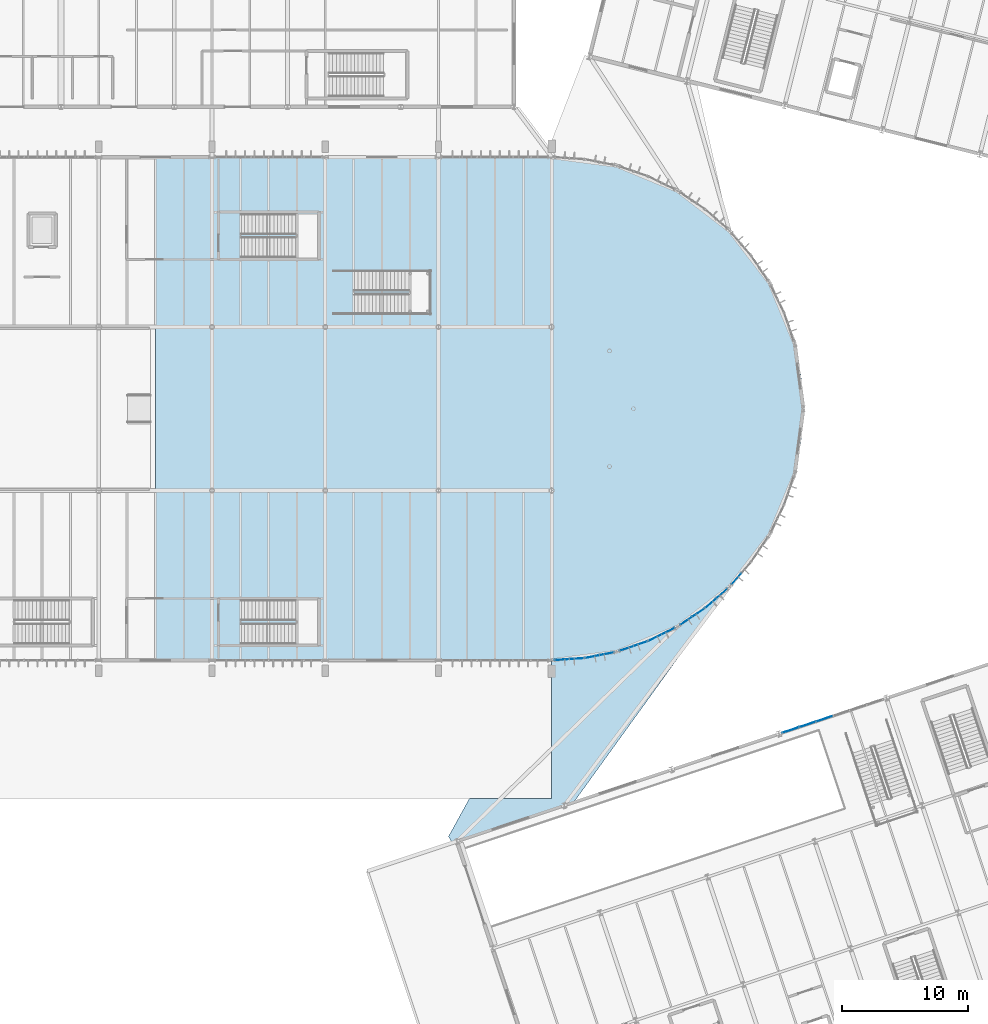
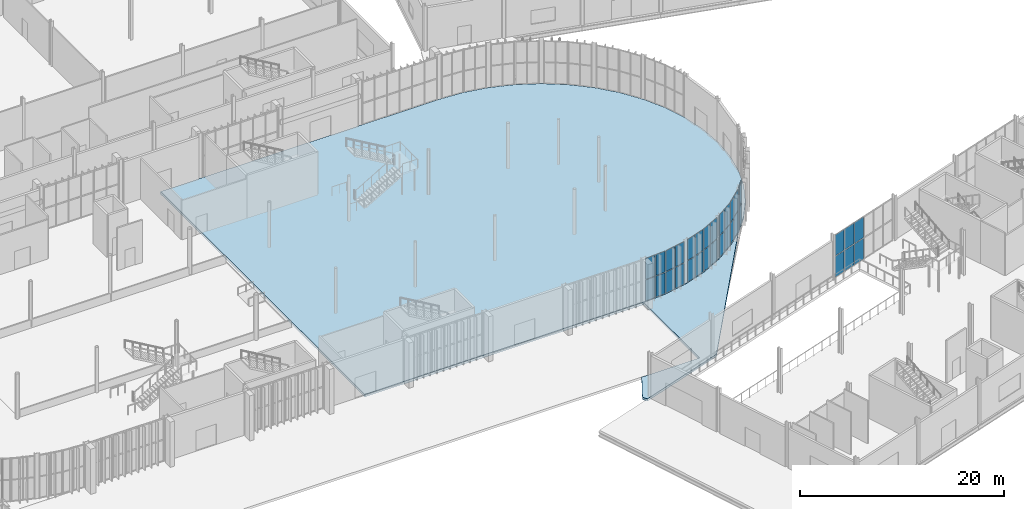
# One storey, part 108 of 158: 32 plates, 2 slabs, 8 elements without a shape of their own.
"""IFC4 building model written with IfcOpenShell, lengths in metres."""

from ifc_helpers import new_model, si_unit, derived_unit, direction, frame, origin, origin_2d, place, context, subcontext, project, spatial, polyline, rectangle, outline, extrude, material, layer, layer_set, type_object, element, aggregate, save


model = new_model("IFC4")

# Units and contexts
model_context = context("Model", 3, precision=1e-05, world=origin(), true_north=direction((0.0, 1.0)))
body_context = subcontext(model_context, "Body", "Model", "MODEL_VIEW")
ifc_project = project(units=[si_unit("LENGTHUNIT", "METRE"), si_unit("AREAUNIT", "SQUARE_METRE"), si_unit("VOLUMEUNIT", "CUBIC_METRE"), si_unit("PLANEANGLEUNIT", "RADIAN"), si_unit("MASSUNIT", "GRAM", prefix="KILO"), si_unit("THERMODYNAMICTEMPERATUREUNIT", "KELVIN"), si_unit("TIMEUNIT", "SECOND"), derived_unit("THERMALTRANSMITTANCEUNIT", [(si_unit("MASSUNIT", "GRAM", prefix="KILO"), 1), (si_unit("THERMODYNAMICTEMPERATUREUNIT", "KELVIN"), -1), (si_unit("TIMEUNIT", "SECOND"), -3)])], contexts=[model_context])

# Site, building, storey
site_placement = place(None, origin())
site = spatial("IfcSite", under=ifc_project, at=site_placement, CompositionType="ELEMENT")
building_placement = place(site_placement, origin())
building = spatial("IfcBuilding", under=site, at=building_placement, Name="Cambertide Market Hall", CompositionType="ELEMENT")
storey_placement = place(building_placement, origin())
storey = spatial("IfcBuildingStorey", under=building, at=storey_placement, Name="L01", CompositionType="ELEMENT", Elevation=0.0)

# Slabs
ifc_material_1 = material(Name="Concrete B35", Category="concrete")
ifc_layer_1 = layer(ifc_material_1, 0.280029296875, Name="Exterior Entry Apron & Colonnade Slab 280")
ifc_layer_set_1 = layer_set([ifc_layer_1], Name="Concrete B35")
slab_type_1 = type_object("IfcSlabType", Name="Exterior Entry Apron & Colonnade Slab 280", PredefinedType="FLOOR", material=ifc_layer_set_1)
slab_1_placement = place(storey_placement, frame((0.0, 0.0, -0.280029296875)))
element("IfcSlab", 1, at=slab_1_placement, inside=storey, type_object=slab_type_1, Name="Level 1 Slab SLB-L01-LNK-V1V3", PredefinedType="FLOOR", context=body_context, shape_type="SweptSolid", body=[
    extrude(outline(polyline([(97.45068359375, 37.615966796875), (97.44921875, 37.620849609375), (106.762451171875, 40.72509765625), (118.997802734375, 57.658203125), (117.208740234375, 56.089111328125), (115.027587890625, 54.6318359375), (112.6748046875, 53.471435546875), (110.190673828125, 52.628173828125), (107.61767578125, 52.116455078125), (105.0048828125, 51.9453125), (105.0048828125, 41.0), (98.45068359375, 41.0), (96.800048828125, 38.0), (97.080810546875, 37.49267578125), (97.45068359375, 37.615966796875)])), origin(), (0.0, 0.0, 1.0), 0.280029296875),
])
ifc_material_2 = material(Name="Concrete B35", Category="concrete")
ifc_layer_2 = layer(ifc_material_2, 0.31005859375, Name="Fresh Produce Plinth Slab 310")
ifc_layer_set_2 = layer_set([ifc_layer_2], Name="Concrete B35")
slab_type_2 = type_object("IfcSlabType", Name="Fresh Produce Plinth Slab 310", PredefinedType="FLOOR", material=ifc_layer_set_2)
slab_2_placement = place(storey_placement, frame((0.0, 0.0, -0.31005859375)))
element("IfcSlab", 2, at=slab_2_placement, inside=storey, type_object=slab_type_2, Name="Level 1 Slab SLB-L01-V1E", PredefinedType="FLOOR", context=body_context, shape_type="SweptSolid", body=[
    extrude(outline(polyline([(73.5, 92.0), (73.5, 52.0), (105.0, 52.0), (107.610595703125, 52.171142578125), (110.17626953125, 52.681396484375), (112.653564453125, 53.5224609375), (115.0, 54.679443359375), (117.17529296875, 56.1328125), (119.14208984375, 57.85791015625), (120.8671875, 59.82470703125), (122.320556640625, 62.0), (123.4775390625, 64.346435546875), (124.318603515625, 66.82373046875), (124.828857421875, 69.389404296875), (125.0, 72.0), (124.828857421875, 74.610595703125), (124.318603515625, 77.17626953125), (123.4775390625, 79.653564453125), (122.320556640625, 82.0), (120.8671875, 84.17529296875), (119.14208984375, 86.14208984375), (117.17529296875, 87.8671875), (115.0, 89.320556640625), (112.653564453125, 90.4775390625), (110.17626953125, 91.318603515625), (107.610595703125, 91.828857421875), (105.0, 92.0), (73.5, 92.0)])), origin(), (0.0, 0.0, 1.0), 0.31005859375),
])

# Curtain wall, plates
ifc_material_3 = material(Name="Marine Anodized Aluminium 6063-T6 AA25", Category="aluminium")
curtain_wall_type_1 = type_object("IfcCurtainWallType", Name="Lantern Apse Chord Lower Curtain Wall", PredefinedType="USERDEFINED", material=ifc_material_3)
curtain_wall_1_placement = place(storey_placement, origin())
curtain_wall_1 = element("IfcCurtainWall", 3, at=curtain_wall_1_placement, inside=storey, type_object=curtain_wall_type_1, Name="Level 1 Curtain Wall CW-V1AE-L01-01", ObjectType="UNITIZED CURTAIN WALL", PredefinedType="USERDEFINED")
ifc_material_4 = material(Name="Low-E Laminated Insulated Glass", Category="glass")
ifc_layer_3 = layer(ifc_material_4, 0.028076171875, Name="Vision Insulated Glazing Panel 28")
ifc_layer_set_3 = layer_set([ifc_layer_3], Name="Low-E Laminated Insulated Glass")
plate_type = type_object("IfcPlateType", Name="Vision Insulated Glazing Panel 28", PredefinedType="CURTAIN_PANEL", material=ifc_layer_set_3)
plate_1_placement = place(storey_placement, frame((106.997802734375, 52.130859375, 0.0400390625), z_axis=(0.0, 0.0, 1.0), x_axis=(-0.997858917819, -0.065403211921, 0.0)))
plate_1 = element("IfcPlate", 4, at=plate_1_placement, type_object=plate_type, Name="CW-V1AE-L01-01 Glazing Panel 1-1", PredefinedType="CURTAIN_PANEL", context=body_context, shape_type="SweptSolid", body=[
    extrude(rectangle(XDim=1.108154296875, YDim=0.028076171875, at=origin_2d()), origin(), (0.0, 0.0, 1.0), 2.5),
])
plate_2_placement = place(storey_placement, frame((105.812255859375, 52.05322265625, 0.0400390625), z_axis=(0.0, 0.0, 1.0), x_axis=(-0.997858917819, -0.065403211921, 0.0)))
plate_2 = element("IfcPlate", 5, at=plate_2_placement, type_object=plate_type, Name="CW-V1AE-L01-01 Glazing Panel 1-2", PredefinedType="CURTAIN_PANEL", context=body_context, shape_type="SweptSolid", body=[
    extrude(rectangle(XDim=1.108154296875, YDim=0.028076171875, at=origin_2d()), origin(), (0.0, 0.0, 1.0), 2.5),
])
plate_3_placement = place(storey_placement, frame((106.997802734375, 52.130859375, 2.6201171875), z_axis=(0.0, 0.0, 1.0), x_axis=(-0.997858917819, -0.065403211921, 0.0)))
plate_3 = element("IfcPlate", 6, at=plate_3_placement, type_object=plate_type, Name="CW-V1AE-L01-01 Glazing Panel 2-1", PredefinedType="CURTAIN_PANEL", context=body_context, shape_type="SweptSolid", body=[
    extrude(rectangle(XDim=1.108154296875, YDim=0.028076171875, at=origin_2d()), origin(), (0.0, 0.0, 1.0), 2.5),
])
plate_4_placement = place(storey_placement, frame((105.812255859375, 52.05322265625, 2.6201171875), z_axis=(0.0, 0.0, 1.0), x_axis=(-0.997858917819, -0.065403211921, 0.0)))
plate_4 = element("IfcPlate", 7, at=plate_4_placement, type_object=plate_type, Name="CW-V1AE-L01-01 Glazing Panel 2-2", PredefinedType="CURTAIN_PANEL", context=body_context, shape_type="SweptSolid", body=[
    extrude(rectangle(XDim=1.108154296875, YDim=0.028076171875, at=origin_2d()), origin(), (0.0, 0.0, 1.0), 2.5),
])
aggregate(curtain_wall_1, [plate_1, plate_2, plate_3, plate_4])

curtain_wall_2_placement = place(storey_placement, origin())
curtain_wall_2 = element("IfcCurtainWall", 8, at=curtain_wall_2_placement, inside=storey, type_object=curtain_wall_type_1, Name="Level 1 Curtain Wall CW-V1AE-L01-02", ObjectType="UNITIZED CURTAIN WALL", PredefinedType="USERDEFINED")
plate_5_placement = place(storey_placement, frame((109.3779296875, 52.522705078125, 0.0400390625), z_axis=(0.0, 0.0, 1.0), x_axis=(-0.980785330885, -0.195090068226, 0.0)))
plate_5 = element("IfcPlate", 9, at=plate_5_placement, type_object=plate_type, Name="CW-V1AE-L01-02 Glazing Panel 1-1", PredefinedType="CURTAIN_PANEL", context=body_context, shape_type="SweptSolid", body=[
    extrude(rectangle(XDim=1.108154296875, YDim=0.028076171875, at=origin_2d()), origin(), (0.0, 0.0, 1.0), 2.5),
])
plate_6_placement = place(storey_placement, frame((108.212646484375, 52.291015625, 0.0400390625), z_axis=(0.0, 0.0, 1.0), x_axis=(-0.980785330885, -0.195090068226, 0.0)))
plate_6 = element("IfcPlate", 10, at=plate_6_placement, type_object=plate_type, Name="CW-V1AE-L01-02 Glazing Panel 1-2", PredefinedType="CURTAIN_PANEL", context=body_context, shape_type="SweptSolid", body=[
    extrude(rectangle(XDim=1.108154296875, YDim=0.028076171875, at=origin_2d()), origin(), (0.0, 0.0, 1.0), 2.5),
])
plate_7_placement = place(storey_placement, frame((109.3779296875, 52.522705078125, 2.6201171875), z_axis=(0.0, 0.0, 1.0), x_axis=(-0.980785330885, -0.195090068226, 0.0)))
plate_7 = element("IfcPlate", 11, at=plate_7_placement, type_object=plate_type, Name="CW-V1AE-L01-02 Glazing Panel 2-1", PredefinedType="CURTAIN_PANEL", context=body_context, shape_type="SweptSolid", body=[
    extrude(rectangle(XDim=1.108154296875, YDim=0.028076171875, at=origin_2d()), origin(), (0.0, 0.0, 1.0), 2.5),
])
plate_8_placement = place(storey_placement, frame((108.212646484375, 52.291015625, 2.6201171875), z_axis=(0.0, 0.0, 1.0), x_axis=(-0.980785330885, -0.195090068226, 0.0)))
plate_8 = element("IfcPlate", 12, at=plate_8_placement, type_object=plate_type, Name="CW-V1AE-L01-02 Glazing Panel 2-2", PredefinedType="CURTAIN_PANEL", context=body_context, shape_type="SweptSolid", body=[
    extrude(rectangle(XDim=1.108154296875, YDim=0.028076171875, at=origin_2d()), origin(), (0.0, 0.0, 1.0), 2.5),
])
aggregate(curtain_wall_2, [plate_5, plate_6, plate_7, plate_8])

curtain_wall_3_placement = place(storey_placement, origin())
curtain_wall_3 = element("IfcCurtainWall", 13, at=curtain_wall_3_placement, inside=storey, type_object=curtain_wall_type_1, Name="Level 1 Curtain Wall CW-V1AE-L01-03", ObjectType="UNITIZED CURTAIN WALL", PredefinedType="USERDEFINED")
plate_9_placement = place(storey_placement, frame((112.072265625, 53.324951171875, 0.0400390625), z_axis=(0.0, 0.0, 1.0), x_axis=(-0.94693012508, -0.32143947831, 0.0)))
plate_9 = element("IfcPlate", 14, at=plate_9_placement, type_object=plate_type, Name="CW-V1AE-L01-03 Glazing Panel 1-1", PredefinedType="CURTAIN_PANEL", context=body_context, shape_type="SweptSolid", body=[
    extrude(rectangle(XDim=1.108154296875, YDim=0.028076171875, at=origin_2d()), origin(), (0.0, 0.0, 1.0), 2.5),
])
plate_10_placement = place(storey_placement, frame((110.947265625, 52.943115234375, 0.0400390625), z_axis=(0.0, 0.0, 1.0), x_axis=(-0.94693012508, -0.32143947831, 0.0)))
plate_10 = element("IfcPlate", 15, at=plate_10_placement, type_object=plate_type, Name="CW-V1AE-L01-03 Glazing Panel 1-2", PredefinedType="CURTAIN_PANEL", context=body_context, shape_type="SweptSolid", body=[
    extrude(rectangle(XDim=1.108154296875, YDim=0.028076171875, at=origin_2d()), origin(), (0.0, 0.0, 1.0), 2.5),
])
plate_11_placement = place(storey_placement, frame((112.072265625, 53.324951171875, 2.6201171875), z_axis=(0.0, 0.0, 1.0), x_axis=(-0.94693012508, -0.32143947831, 0.0)))
plate_11 = element("IfcPlate", 16, at=plate_11_placement, type_object=plate_type, Name="CW-V1AE-L01-03 Glazing Panel 2-1", PredefinedType="CURTAIN_PANEL", context=body_context, shape_type="SweptSolid", body=[
    extrude(rectangle(XDim=1.108154296875, YDim=0.028076171875, at=origin_2d()), origin(), (0.0, 0.0, 1.0), 2.5),
])
plate_12_placement = place(storey_placement, frame((110.947265625, 52.943115234375, 2.6201171875), z_axis=(0.0, 0.0, 1.0), x_axis=(-0.94693012508, -0.32143947831, 0.0)))
plate_12 = element("IfcPlate", 17, at=plate_12_placement, type_object=plate_type, Name="CW-V1AE-L01-03 Glazing Panel 2-2", PredefinedType="CURTAIN_PANEL", context=body_context, shape_type="SweptSolid", body=[
    extrude(rectangle(XDim=1.108154296875, YDim=0.028076171875, at=origin_2d()), origin(), (0.0, 0.0, 1.0), 2.5),
])
aggregate(curtain_wall_3, [plate_9, plate_10, plate_11, plate_12])

curtain_wall_4_placement = place(storey_placement, origin())
curtain_wall_4 = element("IfcCurtainWall", 18, at=curtain_wall_4_placement, inside=storey, type_object=curtain_wall_type_1, Name="Level 1 Curtain Wall CW-V1AE-L01-04", ObjectType="UNITIZED CURTAIN WALL", PredefinedType="USERDEFINED")
plate_13_placement = place(storey_placement, frame((114.27001953125, 54.3193359375, 0.0400390625), z_axis=(0.0, 0.0, 1.0), x_axis=(-0.896872650645, -0.442288874522, 0.0)))
plate_13 = element("IfcPlate", 19, at=plate_13_placement, type_object=plate_type, Name="CW-V1AE-L01-04 Glazing Panel 1-1", PredefinedType="CURTAIN_PANEL", context=body_context, shape_type="SweptSolid", body=[
    extrude(rectangle(XDim=1.108154296875, YDim=0.028076171875, at=origin_2d()), origin(), (0.0, 0.0, 1.0), 2.5),
])
plate_14_placement = place(storey_placement, frame((113.204345703125, 53.7939453125, 0.0400390625), z_axis=(0.0, 0.0, 1.0), x_axis=(-0.896872650645, -0.442288874522, 0.0)))
plate_14 = element("IfcPlate", 20, at=plate_14_placement, type_object=plate_type, Name="CW-V1AE-L01-04 Glazing Panel 1-2", PredefinedType="CURTAIN_PANEL", context=body_context, shape_type="SweptSolid", body=[
    extrude(rectangle(XDim=1.108154296875, YDim=0.028076171875, at=origin_2d()), origin(), (0.0, 0.0, 1.0), 2.5),
])
plate_15_placement = place(storey_placement, frame((114.27001953125, 54.3193359375, 2.6201171875), z_axis=(0.0, 0.0, 1.0), x_axis=(-0.896872650645, -0.442288874522, 0.0)))
plate_15 = element("IfcPlate", 21, at=plate_15_placement, type_object=plate_type, Name="CW-V1AE-L01-04 Glazing Panel 2-1", PredefinedType="CURTAIN_PANEL", context=body_context, shape_type="SweptSolid", body=[
    extrude(rectangle(XDim=1.108154296875, YDim=0.028076171875, at=origin_2d()), origin(), (0.0, 0.0, 1.0), 2.5),
])
plate_16_placement = place(storey_placement, frame((113.204345703125, 53.7939453125, 2.6201171875), z_axis=(0.0, 0.0, 1.0), x_axis=(-0.896872650645, -0.442288874522, 0.0)))
plate_16 = element("IfcPlate", 22, at=plate_16_placement, type_object=plate_type, Name="CW-V1AE-L01-04 Glazing Panel 2-2", PredefinedType="CURTAIN_PANEL", context=body_context, shape_type="SweptSolid", body=[
    extrude(rectangle(XDim=1.108154296875, YDim=0.028076171875, at=origin_2d()), origin(), (0.0, 0.0, 1.0), 2.5),
])
aggregate(curtain_wall_4, [plate_13, plate_14, plate_15, plate_16])

curtain_wall_5_placement = place(storey_placement, origin())
curtain_wall_5 = element("IfcCurtainWall", 23, at=curtain_wall_5_placement, inside=storey, type_object=curtain_wall_type_1, Name="Level 1 Curtain Wall CW-V1AE-L01-05", ObjectType="UNITIZED CURTAIN WALL", PredefinedType="USERDEFINED")
plate_17_placement = place(storey_placement, frame((116.664794921875, 55.791748046875, 0.0400390625), z_axis=(0.0, 0.0, 1.0), x_axis=(-0.831469709481, -0.555570087582, 0.0)))
plate_17 = element("IfcPlate", 24, at=plate_17_placement, type_object=plate_type, Name="CW-V1AE-L01-05 Glazing Panel 1-1", PredefinedType="CURTAIN_PANEL", context=body_context, shape_type="SweptSolid", body=[
    extrude(rectangle(XDim=1.108154296875, YDim=0.028076171875, at=origin_2d()), origin(), (0.0, 0.0, 1.0), 2.5),
])
plate_18_placement = place(storey_placement, frame((115.6767578125, 55.1318359375, 0.0400390625), z_axis=(0.0, 0.0, 1.0), x_axis=(-0.831469709481, -0.555570087582, 0.0)))
plate_18 = element("IfcPlate", 25, at=plate_18_placement, type_object=plate_type, Name="CW-V1AE-L01-05 Glazing Panel 1-2", PredefinedType="CURTAIN_PANEL", context=body_context, shape_type="SweptSolid", body=[
    extrude(rectangle(XDim=1.108154296875, YDim=0.028076171875, at=origin_2d()), origin(), (0.0, 0.0, 1.0), 2.5),
])
plate_19_placement = place(storey_placement, frame((116.664794921875, 55.791748046875, 2.6201171875), z_axis=(0.0, 0.0, 1.0), x_axis=(-0.831469709481, -0.555570087582, 0.0)))
plate_19 = element("IfcPlate", 26, at=plate_19_placement, type_object=plate_type, Name="CW-V1AE-L01-05 Glazing Panel 2-1", PredefinedType="CURTAIN_PANEL", context=body_context, shape_type="SweptSolid", body=[
    extrude(rectangle(XDim=1.108154296875, YDim=0.028076171875, at=origin_2d()), origin(), (0.0, 0.0, 1.0), 2.5),
])
plate_20_placement = place(storey_placement, frame((115.6767578125, 55.1318359375, 2.6201171875), z_axis=(0.0, 0.0, 1.0), x_axis=(-0.831469709481, -0.555570087582, 0.0)))
plate_20 = element("IfcPlate", 27, at=plate_20_placement, type_object=plate_type, Name="CW-V1AE-L01-05 Glazing Panel 2-2", PredefinedType="CURTAIN_PANEL", context=body_context, shape_type="SweptSolid", body=[
    extrude(rectangle(XDim=1.108154296875, YDim=0.028076171875, at=origin_2d()), origin(), (0.0, 0.0, 1.0), 2.5),
])
aggregate(curtain_wall_5, [plate_17, plate_18, plate_19, plate_20])

curtain_wall_6_placement = place(storey_placement, origin())
curtain_wall_6 = element("IfcCurtainWall", 28, at=curtain_wall_6_placement, inside=storey, type_object=curtain_wall_type_1, Name="Level 1 Curtain Wall CW-V1AE-L01-06", ObjectType="UNITIZED CURTAIN WALL", PredefinedType="USERDEFINED")
plate_21_placement = place(storey_placement, frame((118.530029296875, 57.321044921875, 0.0400390625), z_axis=(0.0, 0.0, 1.0), x_axis=(-0.751839834741, -0.659345784014, 0.0)))
plate_21 = element("IfcPlate", 29, at=plate_21_placement, type_object=plate_type, Name="CW-V1AE-L01-06 Glazing Panel 1-1", PredefinedType="CURTAIN_PANEL", context=body_context, shape_type="SweptSolid", body=[
    extrude(rectangle(XDim=1.108154296875, YDim=0.028076171875, at=origin_2d()), origin(), (0.0, 0.0, 1.0), 2.5),
])
plate_22_placement = place(storey_placement, frame((117.636962890625, 56.537841796875, 0.0400390625), z_axis=(0.0, 0.0, 1.0), x_axis=(-0.751839834741, -0.659345784014, 0.0)))
plate_22 = element("IfcPlate", 30, at=plate_22_placement, type_object=plate_type, Name="CW-V1AE-L01-06 Glazing Panel 1-2", PredefinedType="CURTAIN_PANEL", context=body_context, shape_type="SweptSolid", body=[
    extrude(rectangle(XDim=1.108154296875, YDim=0.028076171875, at=origin_2d()), origin(), (0.0, 0.0, 1.0), 2.5),
])
plate_23_placement = place(storey_placement, frame((118.530029296875, 57.321044921875, 2.6201171875), z_axis=(0.0, 0.0, 1.0), x_axis=(-0.751839834741, -0.659345784014, 0.0)))
plate_23 = element("IfcPlate", 31, at=plate_23_placement, type_object=plate_type, Name="CW-V1AE-L01-06 Glazing Panel 2-1", PredefinedType="CURTAIN_PANEL", context=body_context, shape_type="SweptSolid", body=[
    extrude(rectangle(XDim=1.108154296875, YDim=0.028076171875, at=origin_2d()), origin(), (0.0, 0.0, 1.0), 2.5),
])
plate_24_placement = place(storey_placement, frame((117.636962890625, 56.537841796875, 2.6201171875), z_axis=(0.0, 0.0, 1.0), x_axis=(-0.751839834741, -0.659345784014, 0.0)))
plate_24 = element("IfcPlate", 32, at=plate_24_placement, type_object=plate_type, Name="CW-V1AE-L01-06 Glazing Panel 2-2", PredefinedType="CURTAIN_PANEL", context=body_context, shape_type="SweptSolid", body=[
    extrude(rectangle(XDim=1.108154296875, YDim=0.028076171875, at=origin_2d()), origin(), (0.0, 0.0, 1.0), 2.5),
])
aggregate(curtain_wall_6, [plate_21, plate_22, plate_23, plate_24])

curtain_wall_7_placement = place(storey_placement, origin())
curtain_wall_7 = element("IfcCurtainWall", 33, at=curtain_wall_7_placement, inside=storey, type_object=curtain_wall_type_1, Name="Level 1 Curtain Wall CW-V1AE-L01-07", ObjectType="UNITIZED CURTAIN WALL", PredefinedType="USERDEFINED")
plate_25_placement = place(storey_placement, frame((119.678955078125, 58.469970703125, 0.0400390625), z_axis=(0.0, 0.0, 1.0), x_axis=(-0.659345784014, -0.751839834741, 0.0)))
plate_25 = element("IfcPlate", 34, at=plate_25_placement, type_object=plate_type, Name="CW-V1AE-L01-07 Glazing Panel 1-2", PredefinedType="CURTAIN_PANEL", context=body_context, shape_type="SweptSolid", body=[
    extrude(rectangle(XDim=1.108154296875, YDim=0.028076171875, at=origin_2d()), origin(), (0.0, 0.0, 1.0), 2.5),
])
plate_26_placement = place(storey_placement, frame((119.678955078125, 58.469970703125, 2.6201171875), z_axis=(0.0, 0.0, 1.0), x_axis=(-0.659345784014, -0.751839834741, 0.0)))
plate_26 = element("IfcPlate", 35, at=plate_26_placement, type_object=plate_type, Name="CW-V1AE-L01-07 Glazing Panel 2-2", PredefinedType="CURTAIN_PANEL", context=body_context, shape_type="SweptSolid", body=[
    extrude(rectangle(XDim=1.108154296875, YDim=0.028076171875, at=origin_2d()), origin(), (0.0, 0.0, 1.0), 2.5),
])
aggregate(curtain_wall_7, [plate_25, plate_26])

ifc_material_5 = material(Name="Marine Anodized Aluminium 6063-T6 AA25", Category="aluminium")
curtain_wall_type_2 = type_object("IfcCurtainWallType", Name="Food Court Ground Glazed Facade", PredefinedType="USERDEFINED", material=ifc_material_5)
curtain_wall_8_placement = place(storey_placement, origin())
curtain_wall_8 = element("IfcCurtainWall", 36, at=curtain_wall_8_placement, inside=storey, type_object=curtain_wall_type_2, Name="Level 1 Curtain Wall CW-V3N-L01-4", ObjectType="UNITIZED CURTAIN WALL", PredefinedType="USERDEFINED")
plate_27_placement = place(storey_placement, frame((123.9775390625, 46.453125, 0.0400390625), z_axis=(0.0, 0.0, 1.0), x_axis=(0.948683286311, 0.316227801236, 0.0)))
plate_27 = element("IfcPlate", 37, at=plate_27_placement, type_object=plate_type, Name="CW-V3N-L01-4 Glazing Panel 1-1", PredefinedType="CURTAIN_PANEL", context=body_context, shape_type="SweptSolid", body=[
    extrude(rectangle(XDim=1.340087890625, YDim=0.028076171875, at=origin_2d()), origin(), (0.0, 0.0, 1.0), 2.47998046875),
])
plate_28_placement = place(storey_placement, frame((125.32470703125, 46.902099609375, 0.0400390625), z_axis=(0.0, 0.0, 1.0), x_axis=(0.948683286311, 0.316227801236, 0.0)))
plate_28 = element("IfcPlate", 38, at=plate_28_placement, type_object=plate_type, Name="CW-V3N-L01-4 Glazing Panel 1-2", PredefinedType="CURTAIN_PANEL", context=body_context, shape_type="SweptSolid", body=[
    extrude(rectangle(XDim=1.340087890625, YDim=0.028076171875, at=origin_2d()), origin(), (0.0, 0.0, 1.0), 2.47998046875),
])
plate_29_placement = place(storey_placement, frame((126.671875, 47.35107421875, 0.0400390625), z_axis=(0.0, 0.0, 1.0), x_axis=(0.948683286311, 0.316227801236, 0.0)))
plate_29 = element("IfcPlate", 39, at=plate_29_placement, type_object=plate_type, Name="CW-V3N-L01-4 Glazing Panel 1-3", PredefinedType="CURTAIN_PANEL", context=body_context, shape_type="SweptSolid", body=[
    extrude(rectangle(XDim=1.340087890625, YDim=0.028076171875, at=origin_2d()), origin(), (0.0, 0.0, 1.0), 2.47998046875),
])
plate_30_placement = place(storey_placement, frame((123.9775390625, 46.453125, 2.60009765625), z_axis=(0.0, 0.0, 1.0), x_axis=(0.948683286311, 0.316227801236, 0.0)))
plate_30 = element("IfcPlate", 40, at=plate_30_placement, type_object=plate_type, Name="CW-V3N-L01-4 Glazing Panel 2-1", PredefinedType="CURTAIN_PANEL", context=body_context, shape_type="SweptSolid", body=[
    extrude(rectangle(XDim=1.340087890625, YDim=0.028076171875, at=origin_2d()), origin(), (0.0, 0.0, 1.0), 2.47998046875),
])
plate_31_placement = place(storey_placement, frame((125.32470703125, 46.902099609375, 2.60009765625), z_axis=(0.0, 0.0, 1.0), x_axis=(0.948683286311, 0.316227801236, 0.0)))
plate_31 = element("IfcPlate", 41, at=plate_31_placement, type_object=plate_type, Name="CW-V3N-L01-4 Glazing Panel 2-2", PredefinedType="CURTAIN_PANEL", context=body_context, shape_type="SweptSolid", body=[
    extrude(rectangle(XDim=1.340087890625, YDim=0.028076171875, at=origin_2d()), origin(), (0.0, 0.0, 1.0), 2.47998046875),
])
plate_32_placement = place(storey_placement, frame((126.671875, 47.35107421875, 2.60009765625), z_axis=(0.0, 0.0, 1.0), x_axis=(0.948683286311, 0.316227801236, 0.0)))
plate_32 = element("IfcPlate", 42, at=plate_32_placement, type_object=plate_type, Name="CW-V3N-L01-4 Glazing Panel 2-3", PredefinedType="CURTAIN_PANEL", context=body_context, shape_type="SweptSolid", body=[
    extrude(rectangle(XDim=1.340087890625, YDim=0.028076171875, at=origin_2d()), origin(), (0.0, 0.0, 1.0), 2.47998046875),
])
aggregate(curtain_wall_8, [plate_27, plate_28, plate_29, plate_30, plate_31, plate_32])

save(model, "model.ifc")
